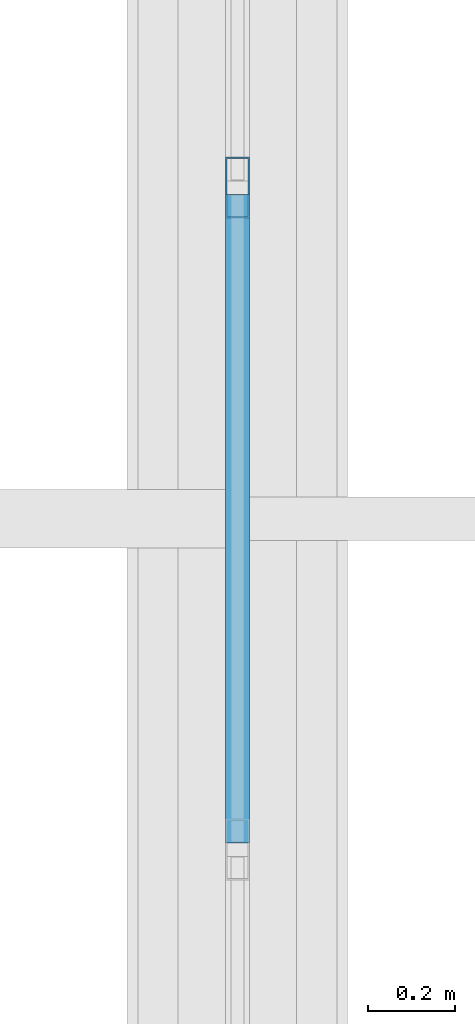
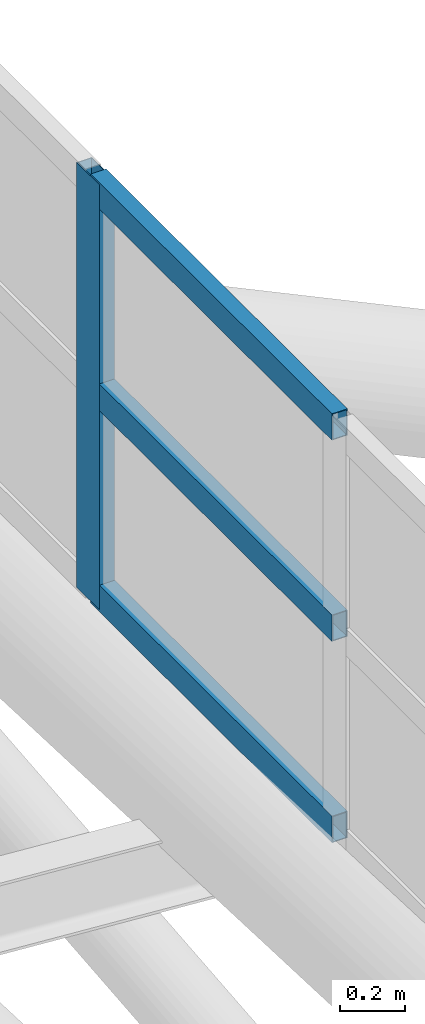
# One storey, part 274 of 397: 4 members, 1 element without a shape of its own.
"""IFC4 building model written with IfcOpenShell, lengths in metres."""

from ifc_helpers import new_model, si_unit, direction, frame, origin, origin_2d, place, context, subcontext, project, spatial, hollow_rectangle, extrude, material, material_profile, profile_set, type_object, element, aggregate, save


model = new_model("IFC4")

# Units and contexts
model_context = context("Model", 3, precision=1e-05, world=origin(), true_north=direction((0.0, 1.0)))
body_context = subcontext(model_context, "Body", "Model", "MODEL_VIEW")
ifc_project = project(units=[si_unit("LENGTHUNIT", "METRE"), si_unit("AREAUNIT", "SQUARE_METRE"), si_unit("VOLUMEUNIT", "CUBIC_METRE"), si_unit("PLANEANGLEUNIT", "RADIAN"), si_unit("MASSUNIT", "GRAM", prefix="KILO")], contexts=[model_context])

# Site, building, storey
site_placement = place(None, origin())
site = spatial("IfcSite", under=ifc_project, at=site_placement, CompositionType="ELEMENT")
building_placement = place(site_placement, origin())
building = spatial("IfcBuilding", under=site, at=building_placement, Name="Qandorah Velis Arena", CompositionType="ELEMENT")
storey_placement = place(building_placement, frame((0.0, 0.0, 27.5)))
storey = spatial("IfcBuildingStorey", under=building, at=storey_placement, Name="RF", CompositionType="ELEMENT", Elevation=27.5)

# Curtain wall, members
ifc_material_1 = material(Name="Solar-control low-E double glazing", Category="glass")
curtain_wall_type = type_object("IfcCurtainWallType", Name="ARC-CW-SYS14", PredefinedType="USERDEFINED", material=ifc_material_1)
curtain_wall_placement = place(storey_placement, origin())
curtain_wall = element("IfcCurtainWall", 1, at=curtain_wall_placement, inside=storey, type_object=curtain_wall_type, Name="Unitised curtain wall OCULUS-2-4", ObjectType="UNITISED CURTAIN WALL", PredefinedType="USERDEFINED")
ifc_material_2 = material(Name="Champagne-bronze anodized aluminium 6063-T6", Category="aluminium")
ifc_material_profile_1 = material_profile(ifc_material_2, hollow_rectangle(XDim=0.054931640625, YDim=0.139892578125, WallThickness=0.0029296875, at=origin_2d()), Name="ALU MULLION 55x140")
ifc_profile_set_1 = profile_set([ifc_material_profile_1], Name="Champagne-bronze anodized aluminium 6063-T6")
member_type_1 = type_object("IfcMemberType", Name="ARC-CWM-140", PredefinedType="MULLION", material=ifc_profile_set_1)
member_1_placement = place(storey_placement, frame((100.800048828125, 79.961181640625, 9.41259765625), z_axis=(0.0, 0.0, 1.0), x_axis=(-1.0, 0.0, 0.0)))
member_1 = element("IfcMember", 2, at=member_1_placement, type_object=member_type_1, Name="CW14 mullion 6", PredefinedType="MULLION", context=body_context, shape_type="SweptSolid", body=[
    extrude(hollow_rectangle(XDim=0.054931640625, YDim=0.139892578125, WallThickness=0.0029296875, at=origin_2d()), origin(), (0.0, 0.0, 1.0), 1.602294921875),
])
ifc_material_profile_2 = material_profile(ifc_material_2, hollow_rectangle(XDim=0.054931640625, YDim=0.10009765625, WallThickness=0.0029296875, at=origin_2d()), Name="ALU TRANSOM 55x100")
ifc_profile_set_2 = profile_set([ifc_material_profile_2], Name="Champagne-bronze anodized aluminium 6063-T6")
member_type_2 = type_object("IfcMemberType", Name="ARC-CWT-100", PredefinedType="USERDEFINED", material=ifc_profile_set_2)
member_2_placement = place(storey_placement, frame((100.800048828125, 78.454345703125, 9.455078125), z_axis=(0.0, 1.0, 0.0), x_axis=(-1.0, 0.0, 0.0)))
member_2 = element("IfcMember", 3, at=member_2_placement, type_object=member_type_2, Name="CW14 transom 5.1", ObjectType="TRANSOM", PredefinedType="USERDEFINED", context=body_context, shape_type="SweptSolid", body=[
    extrude(hollow_rectangle(XDim=0.054931640625, YDim=0.10009765625, WallThickness=0.0029296875, at=origin_2d()), origin(), (0.0, 0.0, 1.0), 1.4912109375),
])
member_3_placement = place(storey_placement, frame((100.800048828125, 78.454345703125, 10.2138671875), z_axis=(0.0, 1.0, 0.0), x_axis=(-1.0, 0.0, 0.0)))
member_3 = element("IfcMember", 4, at=member_3_placement, type_object=member_type_2, Name="CW14 transom 5.2", ObjectType="TRANSOM", PredefinedType="USERDEFINED", context=body_context, shape_type="SweptSolid", body=[
    extrude(hollow_rectangle(XDim=0.054931640625, YDim=0.10009765625, WallThickness=0.0029296875, at=origin_2d()), origin(), (0.0, 0.0, 1.0), 1.4912109375),
])
member_4_placement = place(storey_placement, frame((100.800048828125, 78.454345703125, 10.972412109375), z_axis=(0.0, 1.0, 0.0), x_axis=(-1.0, 0.0, 0.0)))
member_4 = element("IfcMember", 5, at=member_4_placement, type_object=member_type_2, Name="CW14 transom 5.3", ObjectType="TRANSOM", PredefinedType="USERDEFINED", context=body_context, shape_type="SweptSolid", body=[
    extrude(hollow_rectangle(XDim=0.054931640625, YDim=0.10009765625, WallThickness=0.0029296875, at=origin_2d()), origin(), (0.0, 0.0, 1.0), 1.4912109375),
])
aggregate(curtain_wall, [member_1, member_2, member_3, member_4])

save(model, "model.ifc")
